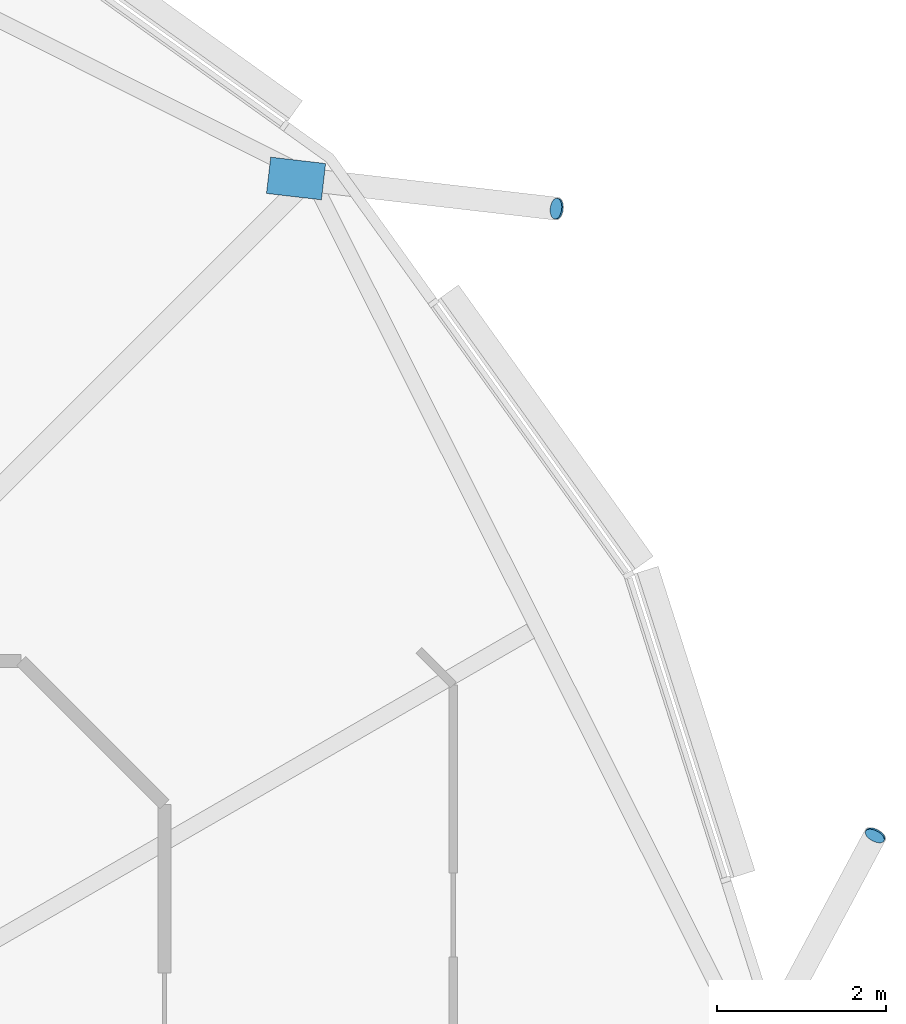
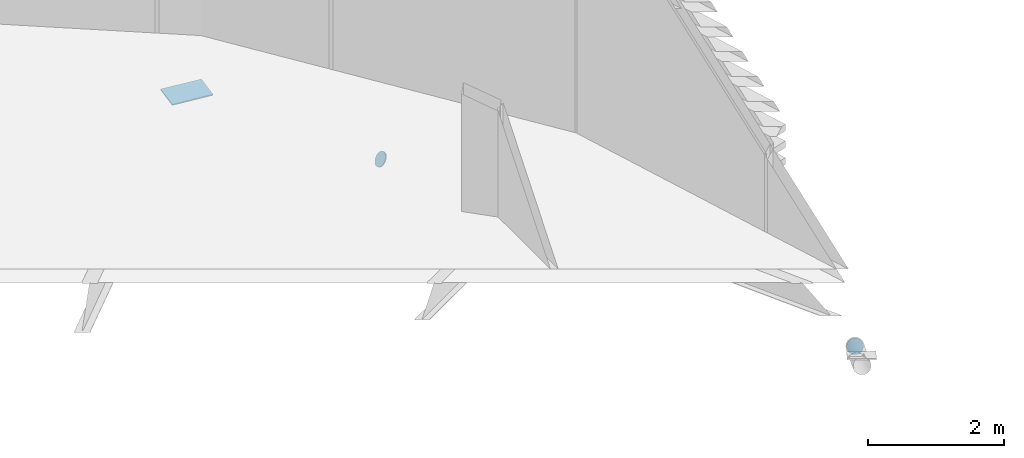
# One storey, part 34 of 39: 3 discrete accessories.
"""IFC4 building model written with IfcOpenShell, lengths in metres."""

import ifcopenshell
import ifcopenshell.guid

model = None  # the IFC model being written
_history = None  # IfcOwnerHistory: only IFC2X3 demands one
_inside = {}  # id of a spatial element -> (the spatial element, [elements in it])
_under = {}  # id of a project, library or spatial element -> (it, [spatial elements below it])
_declared = {}  # id of a project -> (the project, [libraries it declares])
_typed = {}  # id of a type object -> (the type object, [elements of that type])
_made_of = {}  # id of a material, layer set ... -> (it, [elements and type objects made of it])


def new_model(schema):
    """Start an empty IFC model of exactly this schema.

    Asked for "IFC4X3", IfcOpenShell would pick the latest addendum, in which some entities
    have other attributes; the version numbers below select the first issue.
    IFC2X3 requires an IfcOwnerHistory on every rooted entity: one is made here for all.
    """
    global model, _history
    if schema == "IFC4X3":
        model = ifcopenshell.file(schema_version=(4, 3, 0, 0))
    else:
        model = ifcopenshell.file(schema=schema)
    _inside.clear()
    _under.clear()
    _declared.clear()
    _typed.clear()
    _made_of.clear()
    _history = None
    if model.schema == "IFC2X3":
        org = make("IfcOrganization", Name="unknown")
        user = make(
            "IfcPersonAndOrganization",
            ThePerson=make("IfcPerson", FamilyName="unknown"),
            TheOrganization=org,
        )
        app = make(
            "IfcApplication",
            ApplicationDeveloper=org,
            Version="unknown",
            ApplicationFullName="unknown",
            ApplicationIdentifier="unknown",
        )
        _history = make(
            "IfcOwnerHistory",
            OwningUser=user,
            OwningApplication=app,
            ChangeAction="ADDED",
            CreationDate=0,
        )
    return model


def make(cls, **values):
    """One entity of the class cls with the attributes given. An attribute that is None is left unset."""
    return model.create_entity(
        cls, **{name: value for name, value in values.items() if value is not None}
    )


def rooted(cls, **values):
    """An entity with a GlobalId (a new one), such as an element, a storey or a relation."""
    return make(cls, GlobalId=ifcopenshell.guid.new(), OwnerHistory=_history, **values)


def si_unit(unit_type, name, prefix=None):
    """IfcSIUnit, for example si_unit("LENGTHUNIT", "METRE", prefix="MILLI")."""
    return make("IfcSIUnit", UnitType=unit_type, Prefix=prefix, Name=name)


def assignment(units):
    """IfcUnitAssignment: the units of a project."""
    return None if units is None else make("IfcUnitAssignment", Units=units)


def point(xyz):
    """IfcCartesianPoint."""
    return None if xyz is None else make("IfcCartesianPoint", Coordinates=xyz)


def direction(xyz):
    """IfcDirection."""
    return None if xyz is None else make("IfcDirection", DirectionRatios=xyz)


def frame(location, z_axis=None, x_axis=None):
    """IfcAxis2Placement3D, a coordinate frame: its origin and axes. An axis left out is left unset."""
    return make(
        "IfcAxis2Placement3D",
        Location=point(location),
        Axis=direction(z_axis),
        RefDirection=direction(x_axis),
    )


def frame_2d(location, x_axis=None):
    """IfcAxis2Placement2D, a coordinate frame in the plane: its origin and x axis."""
    return make(
        "IfcAxis2Placement2D", Location=point(location), RefDirection=direction(x_axis)
    )


def origin():
    """The frame at (0, 0, 0) with its axes left unset."""
    return frame((0.0, 0.0, 0.0))


def origin_2d():
    """The frame at (0, 0) in the plane with its x axis left unset."""
    return frame_2d((0.0, 0.0))


def place(relative_to, where):
    """IfcLocalPlacement: puts the frame where relative to a parent placement (None: the world)."""
    return make(
        "IfcLocalPlacement", PlacementRelTo=relative_to, RelativePlacement=where
    )


def context(
    kind, dimensions, precision=None, world=None, true_north=None, identifier=None
):
    """IfcGeometricRepresentationContext, for example the 3D "Model" context."""
    return make(
        "IfcGeometricRepresentationContext",
        ContextIdentifier=identifier,
        ContextType=kind,
        CoordinateSpaceDimension=dimensions,
        Precision=precision,
        WorldCoordinateSystem=world,
        TrueNorth=true_north,
    )


def subcontext(parent, identifier, kind, view, scale=None):
    """IfcGeometricRepresentationSubContext, for example "Body" below "Model"."""
    return make(
        "IfcGeometricRepresentationSubContext",
        ContextIdentifier=identifier,
        ContextType=kind,
        ParentContext=parent,
        TargetScale=scale,
        TargetView=view,
    )


def project(units=None, contexts=None):
    """IfcProject with its units and contexts."""
    return rooted(
        "IfcProject",
        Name="project",
        RepresentationContexts=contexts,
        UnitsInContext=assignment(units),
    )


def spatial(cls, under=None, at=None, **own):
    """A site, building, storey or space (cls), placed at a placement, below another one or the project."""
    s = rooted(cls, ObjectPlacement=at, **own)
    if under is not None:
        _under.setdefault(under.id(), (under, []))[1].append(s)
    return s


def polyline(points):
    """IfcPolyline through the points."""
    return make("IfcPolyline", Points=[point(p) for p in points])


def profile(cls, at=None, kind="AREA", **sizes):
    """A parametric profile (cls). Its sizes go by their IFC names, for example OverallWidth=200.0."""
    return make(cls, ProfileType=kind, Position=at, **sizes)


def rectangle(**sizes):
    """IfcRectangleProfileDef."""
    return profile("IfcRectangleProfileDef", **sizes)


def circle(**sizes):
    """IfcCircleProfileDef."""
    return profile("IfcCircleProfileDef", **sizes)


def outline(outer, holes=None, kind="AREA"):
    """IfcArbitraryClosedProfileDef: a profile drawn as a closed curve; with holes, ...WithVoids."""
    if holes is None:
        return make("IfcArbitraryClosedProfileDef", ProfileType=kind, OuterCurve=outer)
    return make(
        "IfcArbitraryProfileDefWithVoids",
        ProfileType=kind,
        OuterCurve=outer,
        InnerCurves=holes,
    )


def extrude(swept, where, along, depth):
    """IfcExtrudedAreaSolid: the profile swept, set in the frame where, extruded along a direction by depth."""
    return make(
        "IfcExtrudedAreaSolid",
        SweptArea=swept,
        Position=where,
        ExtrudedDirection=direction(along),
        Depth=depth,
    )


def shape(context_of_items, identifier, shape_type, items):
    """IfcShapeRepresentation: the items that make up one representation, for example the "Body"."""
    return make(
        "IfcShapeRepresentation",
        ContextOfItems=context_of_items,
        RepresentationIdentifier=identifier,
        RepresentationType=shape_type,
        Items=items,
    )


def material(Name=None, Category=None):
    """IfcMaterial."""
    return make("IfcMaterial", Name=Name, Category=Category)


def material_profile(
    of_material, cross_section, Name=None, Category=None, Priority=None
):
    """IfcMaterialProfile: a cross section and its material."""
    return make(
        "IfcMaterialProfile",
        Name=Name,
        Material=of_material,
        Profile=cross_section,
        Priority=Priority,
        Category=Category,
    )


def profile_set(profiles, Name=None, composite=None):
    """IfcMaterialProfileSet."""
    return make(
        "IfcMaterialProfileSet",
        Name=Name,
        MaterialProfiles=profiles,
        CompositeProfile=composite,
    )


def made_of(thing, what):
    """Note that an element or type object is made of a material, layer set ...; save() writes the relation."""
    if what is not None:
        _made_of.setdefault(what.id(), (what, []))[1].append(thing)
    return thing


def type_object(cls, material=None, **own):
    """A type object (cls), such as IfcWallType, which elements share."""
    return made_of(rooted(cls, **own), material)


def element(
    cls,
    number,
    at=None,
    inside=None,
    cuts=None,
    type_object=None,
    material=None,
    context=None,
    identifier="Body",
    shape_type=None,
    held_by="IfcProductDefinitionShape",
    body=None,
    shapes=None,
    **own,
):
    """One element of the class cls, such as IfcWall. Its Tag is "e" and its number.

    at: its placement. inside: the storey or other place that contains it. cuts: it is an
    opening in that element (IfcRelVoidsElement). A single representation is given by context,
    identifier, shape_type and body (its items); several are given by shapes. held_by: the class
    of the entity that holds the representations. save() writes the other relations.
    """
    e = rooted(cls, Tag="e%d" % number, ObjectPlacement=at, **own)
    if body is not None:
        shapes = [shape(context, identifier, shape_type, body)]
    if shapes is not None:
        e.Representation = make(held_by, Representations=shapes)
    if inside is not None:
        _inside.setdefault(inside.id(), (inside, []))[1].append(e)
    if cuts is not None:
        rooted(
            "IfcRelVoidsElement", RelatingBuildingElement=cuts, RelatedOpeningElement=e
        )
    if type_object is not None:
        _typed.setdefault(type_object.id(), (type_object, []))[1].append(e)
    return made_of(e, material)


def aggregate(whole, parts):
    """IfcRelAggregates: a whole, such as a stair, and the parts it consists of."""
    return rooted("IfcRelAggregates", RelatingObject=whole, RelatedObjects=parts)


def save(model, path):
    """Write the relations noted so far, then the file.

    IfcRelAggregates (storeys below a building ...), IfcRelContainedInSpatialStructure (elements
    in a storey), IfcRelDefinesByType, IfcRelAssociatesMaterial and IfcRelDeclares: one each for
    every whole, place, type object, material and project.
    """
    for whole, parts in _under.values():
        aggregate(whole, parts)
    for where, things in _inside.values():
        rooted(
            "IfcRelContainedInSpatialStructure",
            RelatedElements=things,
            RelatingStructure=where,
        )
    for kind, things in _typed.values():
        rooted("IfcRelDefinesByType", RelatedObjects=things, RelatingType=kind)
    for what, things in _made_of.values():
        rooted("IfcRelAssociatesMaterial", RelatedObjects=things, RelatingMaterial=what)
    for by, libraries in _declared.values():
        rooted("IfcRelDeclares", RelatingContext=by, RelatedDefinitions=libraries)
    model.write(path)


model = new_model("IFC4")

# Units and contexts
model_context = context("Model", 3, precision=1e-05, world=origin(), true_north=direction((0.0, 1.0)))
body_context = subcontext(model_context, "Body", "Model", "MODEL_VIEW")
ifc_project = project(units=[si_unit("LENGTHUNIT", "METRE"), si_unit("AREAUNIT", "SQUARE_METRE"), si_unit("VOLUMEUNIT", "CUBIC_METRE"), si_unit("PLANEANGLEUNIT", "RADIAN"), si_unit("MASSUNIT", "GRAM", prefix="KILO")], contexts=[model_context])

# Site, building, storey
site_placement = place(None, origin())
site = spatial("IfcSite", under=ifc_project, at=site_placement, CompositionType="ELEMENT")
building_placement = place(site_placement, origin())
building = spatial("IfcBuilding", under=site, at=building_placement, Name="Rimbun Link Towers", CompositionType="ELEMENT")
storey_placement = place(building_placement, frame((0.0, 0.0, 112.0)))
storey = spatial("IfcBuildingStorey", under=building, at=storey_placement, Name="L27", CompositionType="ELEMENT", Elevation=112.0)

# Discrete accessories
ifc_material_1 = material(Name="Steel S355J2H", Category="steel")
ifc_material_profile_1 = material_profile(ifc_material_1, circle(Radius=0.1240234375, at=origin_2d()), Name="PL D248")
ifc_profile_set_1 = profile_set([ifc_material_profile_1], Name="Steel S355J2H")
discrete_accessory_type_1 = type_object("IfcDiscreteAccessoryType", Name="Link foot sealing plate D248X20", PredefinedType="BRACKET", material=ifc_profile_set_1)
for number, where, z_axis, x_axis, name in (
    (1, (50.93603515625, 15.908203125, -2.83251953125), (0.829947438925, -0.097640875168, -0.549229922818), (0.116841247567, 0.993150604323, 0.0), "Link foot sealing plate T2 L27 00"),
    (2, (54.71240234375, 8.476806640625, -3.01318359375), (0.403249456213, 0.757620190461, -0.513226580635), (-0.882746759079, 0.469849081445, 0.0), "Link foot sealing plate T2 L27 22"),
):
    element("IfcDiscreteAccessory", number, at=place(storey_placement, frame(where, z_axis=z_axis, x_axis=x_axis)), inside=storey, type_object=discrete_accessory_type_1, Name=name, PredefinedType="BRACKET", context=body_context, shape_type="SweptSolid", body=[
        extrude(circle(Radius=0.1240234375, at=origin_2d()), origin(), (0.0, 0.0, 1.0), 0.02001953125),
    ])
ifc_material_2 = material(Name="Steel S355J2H", Category="steel")
ifc_material_profile_2 = material_profile(ifc_material_2, rectangle(XDim=0.43310546875, YDim=0.43310546875, at=origin_2d()), Name="PL 433x433")
ifc_profile_set_2 = profile_set([ifc_material_profile_2], Name="Steel S355J2H")
discrete_accessory_type_2 = type_object("IfcDiscreteAccessoryType", Name="Link head end plate 433X20", PredefinedType="BRACKET", material=ifc_profile_set_2)
discrete_accessory_placement = place(storey_placement, frame((0.0, 0.0, -0.78271484375)))
element("IfcDiscreteAccessory", 3, at=discrete_accessory_placement, inside=storey, type_object=discrete_accessory_type_2, Name="Link head end plate T2 L27 00", PredefinedType="BRACKET", context=body_context, shape_type="SweptSolid", body=[
    extrude(outline(polyline([(47.50732421875, 16.087890625), (48.157958984375, 16.012451171875), (48.207763671875, 16.4423828125), (47.557373046875, 16.51806640625), (47.50732421875, 16.087890625)])), origin(), (0.0, 0.0, 1.0), 0.02001953125),
])

save(model, "model.ifc")
